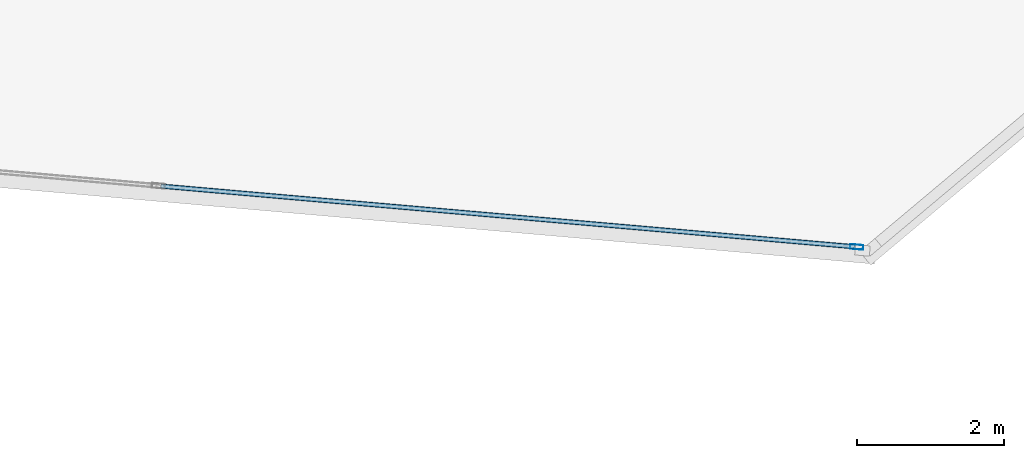
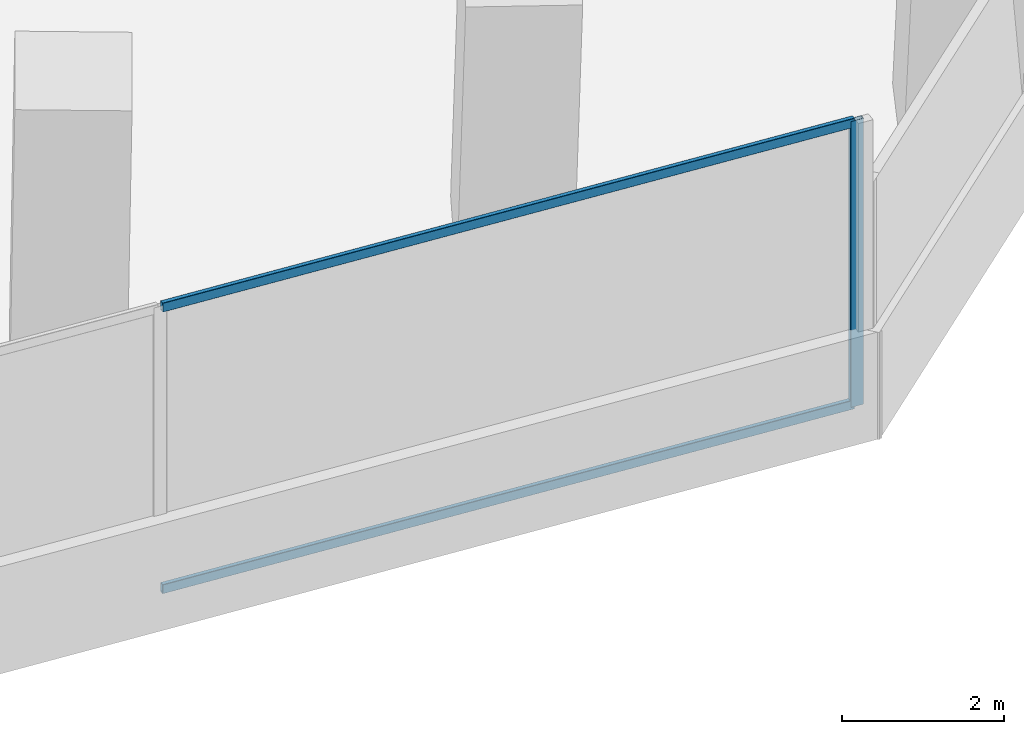
# One storey, part 9 of 23: 3 members, 1 element without a shape of its own.
"""IFC4 building model written with IfcOpenShell, lengths in metres."""

from ifc_helpers import new_model, si_unit, direction, frame, origin, origin_2d, place, context, subcontext, project, spatial, hollow_rectangle, extrude, source, transform, mapped, material, material_profile, profile_set, type_object, element, aggregate, save


model = new_model("IFC4")

# Units and contexts
model_context = context("Model", 3, precision=1e-05, world=origin(), true_north=direction((0.0, 1.0)))
body_context = subcontext(model_context, "Body", "Model", "MODEL_VIEW")
ifc_project = project(units=[si_unit("LENGTHUNIT", "METRE"), si_unit("AREAUNIT", "SQUARE_METRE"), si_unit("VOLUMEUNIT", "CUBIC_METRE"), si_unit("PLANEANGLEUNIT", "RADIAN"), si_unit("MASSUNIT", "GRAM", prefix="KILO")], contexts=[model_context])

# Site, building, storey
site_placement = place(None, origin())
site = spatial("IfcSite", under=ifc_project, at=site_placement, CompositionType="ELEMENT")
building_placement = place(site_placement, origin())
building = spatial("IfcBuilding", under=site, at=building_placement, Name="Torre Montelarca", CompositionType="ELEMENT")
storey_placement = place(building_placement, frame((0.0, 0.0, 56.800048828125)))
storey = spatial("IfcBuildingStorey", under=building, at=storey_placement, Name="L12", CompositionType="ELEMENT", Elevation=56.800048828125)

# Curtain wall, members
ifc_material_1 = material(Name="Insulated low-E laminated glass", Category="glass")
curtain_wall_type = type_object("IfcCurtainWallType", Name="CW-SYS-Z1", PredefinedType="USERDEFINED", material=ifc_material_1)
curtain_wall_placement = place(storey_placement, origin())
curtain_wall = element("IfcCurtainWall", 1, at=curtain_wall_placement, inside=storey, type_object=curtain_wall_type, Name="L12 Curtain Wall Run CW-T3-L12-E04-B1", ObjectType="UNITISED GLAZING", PredefinedType="USERDEFINED")
ifc_material_2 = material(Name="Anodised aluminium AA 6063-T6", Category="aluminium")
ifc_material_profile_1 = material_profile(ifc_material_2, hollow_rectangle(XDim=0.06494140625, YDim=0.179931640625, WallThickness=0.00390625, InnerFilletRadius=0.00390625, OuterFilletRadius=0.008056640625, at=origin_2d()), Name="ALU65X180X4", Category="aluminium")
ifc_profile_set_1 = profile_set([ifc_material_profile_1], Name="Anodised aluminium AA 6063-T6")
member_type_1 = type_object("IfcMemberType", Name="CWM-ALU180", PredefinedType="MULLION", material=ifc_profile_set_1)
shared_shape_1 = source(origin(), body_context, "Body", "SweptSolid", [
    extrude(hollow_rectangle(XDim=0.06494140625, YDim=0.179931640625, WallThickness=0.00390625, InnerFilletRadius=0.00390625, OuterFilletRadius=0.008056640625, at=origin_2d()), origin(), (0.0, 0.0, 1.0), 4.320068359375),
])
member_1_placement = place(storey_placement, frame((54.878173828125, 15.357421875, 0.0), z_axis=(0.0, 0.0, 1.0), x_axis=(0.087161882244, 0.996194160936, 0.0)))
member_1 = element("IfcMember", 2, at=member_1_placement, type_object=member_type_1, Name="CW mullion 3", PredefinedType="MULLION", context=body_context, shape_type="MappedRepresentation", body=[
    mapped(shared_shape_1, transform((0.0, 0.0, 0.0), scale=1.0)),
])
ifc_material_profile_2 = material_profile(ifc_material_2, hollow_rectangle(XDim=0.06494140625, YDim=0.139892578125, WallThickness=0.00390625, InnerFilletRadius=0.00390625, OuterFilletRadius=0.008056640625, at=origin_2d()), Name="ALU65X140X4", Category="aluminium")
ifc_profile_set_2 = profile_set([ifc_material_profile_2], Name="Anodised aluminium AA 6063-T6")
member_type_2 = type_object("IfcMemberType", Name="CWT-ALU140", PredefinedType="USERDEFINED", material=ifc_profile_set_2)
shared_shape_2 = source(origin(), body_context, "Body", "SweptSolid", [
    extrude(hollow_rectangle(XDim=0.06494140625, YDim=0.139892578125, WallThickness=0.00390625, InnerFilletRadius=0.00390625, OuterFilletRadius=0.008056640625, at=origin_2d()), origin(), (0.0, 0.0, 1.0), 9.448486328125),
])
member_2_placement = place(storey_placement, frame((45.43310546875, 16.183837890625, 0.032470703125), z_axis=(0.996194783193, -0.087154770029, 0.0), x_axis=(0.087154770029, 0.996194783193, 0.0)))
member_2 = element("IfcMember", 3, at=member_2_placement, type_object=member_type_2, Name="CW transom 2.1", ObjectType="TRANSOM", PredefinedType="USERDEFINED", context=body_context, shape_type="MappedRepresentation", body=[
    mapped(shared_shape_2, transform((0.0, 0.0, 0.0), scale=1.0)),
])
member_3_placement = place(storey_placement, frame((45.43310546875, 16.183837890625, 4.287353515625), z_axis=(0.996194783193, -0.087154770029, 0.0), x_axis=(0.087154770029, 0.996194783193, 0.0)))
member_3 = element("IfcMember", 4, at=member_3_placement, type_object=member_type_2, Name="CW transom 2.2", ObjectType="TRANSOM", PredefinedType="USERDEFINED", context=body_context, shape_type="MappedRepresentation", body=[
    mapped(shared_shape_2, transform((0.0, 0.0, 0.0), scale=1.0)),
])
aggregate(curtain_wall, [member_1, member_2, member_3])

save(model, "model.ifc")
